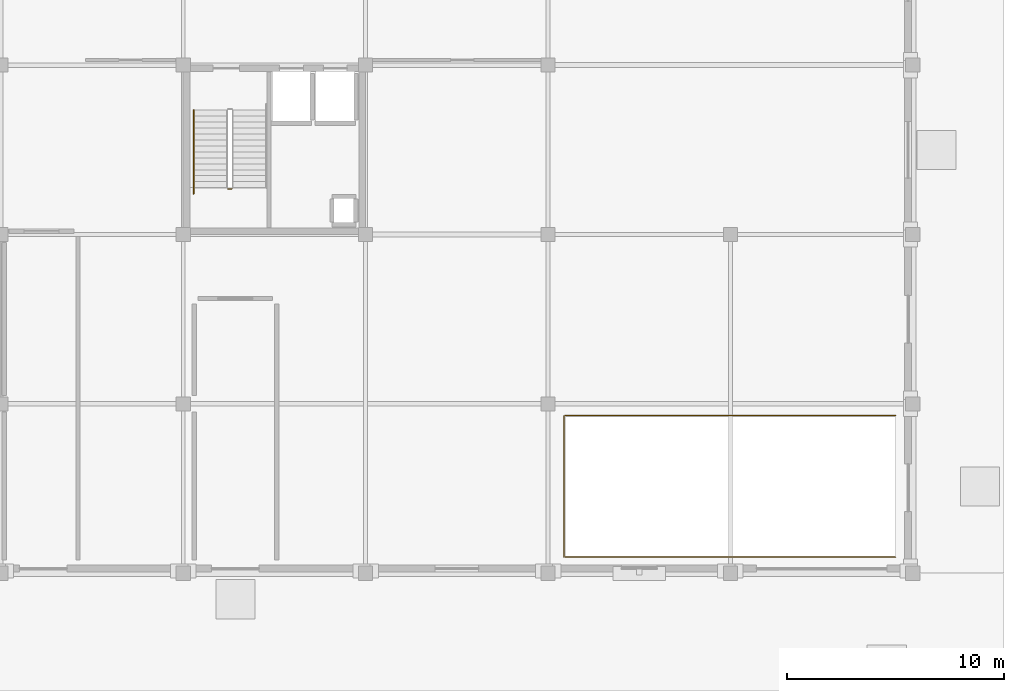
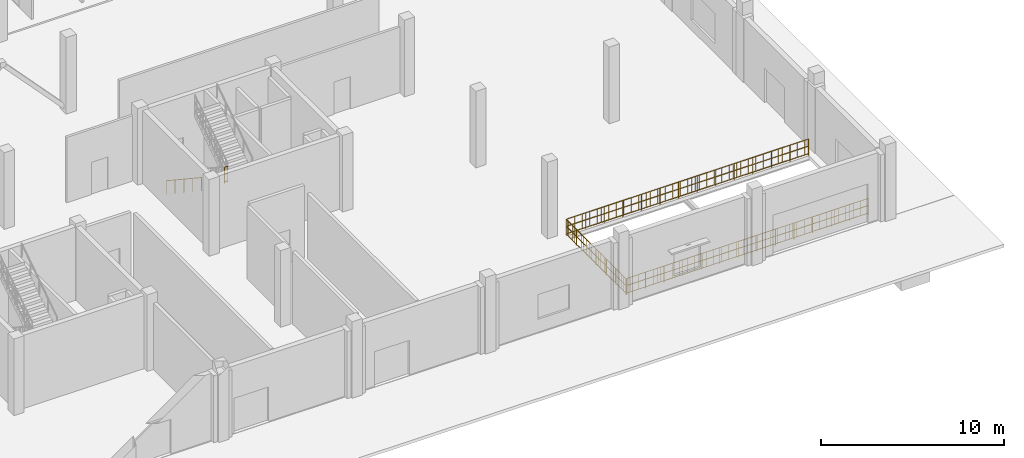
# One storey, part 76 of 80: 5 railings.
"""IFC4 building model written with IfcOpenShell, lengths in metres."""

from ifc_helpers import new_model, si_unit, direction, frame, origin, origin_2d, place, context, subcontext, project, spatial, circle, extrude, material, layer, layer_set, type_object, element, save


model = new_model("IFC4")

# Units and contexts
model_context = context("Model", 3, precision=1e-05, world=origin(), true_north=direction((0.0, 1.0)))
body_context = subcontext(model_context, "Body", "Model", "MODEL_VIEW")
ifc_project = project(units=[si_unit("LENGTHUNIT", "METRE"), si_unit("AREAUNIT", "SQUARE_METRE"), si_unit("VOLUMEUNIT", "CUBIC_METRE"), si_unit("PLANEANGLEUNIT", "RADIAN"), si_unit("MASSUNIT", "GRAM", prefix="KILO")], contexts=[model_context])

# Site, building, storey
site_placement = place(None, origin())
site = spatial("IfcSite", under=ifc_project, at=site_placement, CompositionType="ELEMENT")
building_placement = place(site_placement, origin())
building = spatial("IfcBuilding", under=site, at=building_placement, Name="Nabrawat Pavilion Hospital", CompositionType="ELEMENT")
storey_placement = place(building_placement, origin())
storey = spatial("IfcBuildingStorey", under=building, at=storey_placement, Name="L00", CompositionType="ELEMENT", Elevation=0.0)

# Railings
ifc_material = material(Name="Stainless Steel 316", Category="steel")
ifc_layer_1 = layer(ifc_material, 0.070068359375, Name="Stainless Steel 316")
ifc_layer_set_1 = layer_set([ifc_layer_1], Name="Stainless Steel 316")
railing_type_1 = type_object("IfcRailingType", Name="Exterior Clinical Terrace Safety Guardrail 1100", PredefinedType="GUARDRAIL", material=ifc_layer_set_1)
railing_1_placement = place(storey_placement, frame((177.199951171875, 7.260009765625, 0.0)))
element("IfcRailing", 1, at=railing_1_placement, inside=storey, type_object=railing_type_1, Name="L00 Vehicle Ramp Opening Safety Guardrail North", PredefinedType="GUARDRAIL", context=body_context, shape_type="SweptSolid", body=[
    extrude(circle(Radius=0.02392578125, at=origin_2d()), frame((0.0, 0.0, 1.076171875), z_axis=(1.0, 0.0, 0.0), x_axis=(0.0, 1.0, 0.0)), (0.0, 0.0, 1.0), 15.199951171875),
    extrude(circle(Radius=0.02392578125, at=origin_2d()), frame((0.0, 0.0, 0.10009765625), z_axis=(1.0, 0.0, 0.0), x_axis=(0.0, 1.0, 0.0)), (0.0, 0.0, 1.0), 15.199951171875),
    extrude(circle(Radius=0.02392578125, at=origin_2d()), frame((0.0, 0.0, 0.60498046875), z_axis=(1.0, 0.0, 0.0), x_axis=(0.0, 1.0, 0.0)), (0.0, 0.0, 1.0), 15.199951171875),
    extrude(circle(Radius=0.008056640625, at=origin_2d()), frame((0.237548828125, 0.0, 0.10009765625)), (0.0, 0.0, 1.0), 0.951904296875),
    extrude(circle(Radius=0.008056640625, at=origin_2d()), frame((0.47509765625, 0.0, 0.10009765625)), (0.0, 0.0, 1.0), 0.951904296875),
    extrude(circle(Radius=0.008056640625, at=origin_2d()), frame((0.71240234375, 0.0, 0.10009765625)), (0.0, 0.0, 1.0), 0.951904296875),
    extrude(circle(Radius=0.008056640625, at=origin_2d()), frame((0.949951171875, 0.0, 0.10009765625)), (0.0, 0.0, 1.0), 0.951904296875),
    extrude(circle(Radius=0.008056640625, at=origin_2d()), frame((1.425048828125, 0.0, 0.10009765625)), (0.0, 0.0, 1.0), 0.951904296875),
    extrude(circle(Radius=0.008056640625, at=origin_2d()), frame((1.66259765625, 0.0, 0.10009765625)), (0.0, 0.0, 1.0), 0.951904296875),
    extrude(circle(Radius=0.008056640625, at=origin_2d()), frame((1.89990234375, 0.0, 0.10009765625)), (0.0, 0.0, 1.0), 0.951904296875),
    extrude(circle(Radius=0.008056640625, at=origin_2d()), frame((2.137451171875, 0.0, 0.10009765625)), (0.0, 0.0, 1.0), 0.951904296875),
    extrude(circle(Radius=0.008056640625, at=origin_2d()), frame((2.612548828125, 0.0, 0.10009765625)), (0.0, 0.0, 1.0), 0.951904296875),
    extrude(circle(Radius=0.008056640625, at=origin_2d()), frame((2.85009765625, 0.0, 0.10009765625)), (0.0, 0.0, 1.0), 0.951904296875),
    extrude(circle(Radius=0.008056640625, at=origin_2d()), frame((3.08740234375, 0.0, 0.10009765625)), (0.0, 0.0, 1.0), 0.951904296875),
    extrude(circle(Radius=0.008056640625, at=origin_2d()), frame((3.324951171875, 0.0, 0.10009765625)), (0.0, 0.0, 1.0), 0.951904296875),
    extrude(circle(Radius=0.008056640625, at=origin_2d()), frame((3.5625, 0.0, 0.10009765625)), (0.0, 0.0, 1.0), 0.951904296875),
    extrude(circle(Radius=0.008056640625, at=origin_2d()), frame((3.800048828125, 0.0, 0.10009765625)), (0.0, 0.0, 1.0), 0.951904296875),
    extrude(circle(Radius=0.008056640625, at=origin_2d()), frame((4.03759765625, 0.0, 0.10009765625)), (0.0, 0.0, 1.0), 0.951904296875),
    extrude(circle(Radius=0.008056640625, at=origin_2d()), frame((4.27490234375, 0.0, 0.10009765625)), (0.0, 0.0, 1.0), 0.951904296875),
    extrude(circle(Radius=0.008056640625, at=origin_2d()), frame((4.512451171875, 0.0, 0.10009765625)), (0.0, 0.0, 1.0), 0.951904296875),
    extrude(circle(Radius=0.008056640625, at=origin_2d()), frame((4.75, 0.0, 0.10009765625)), (0.0, 0.0, 1.0), 0.951904296875),
    extrude(circle(Radius=0.008056640625, at=origin_2d()), frame((4.987548828125, 0.0, 0.10009765625)), (0.0, 0.0, 1.0), 0.951904296875),
    extrude(circle(Radius=0.008056640625, at=origin_2d()), frame((5.22509765625, 0.0, 0.10009765625)), (0.0, 0.0, 1.0), 0.951904296875),
    extrude(circle(Radius=0.008056640625, at=origin_2d()), frame((5.46240234375, 0.0, 0.10009765625)), (0.0, 0.0, 1.0), 0.951904296875),
    extrude(circle(Radius=0.008056640625, at=origin_2d()), frame((5.699951171875, 0.0, 0.10009765625)), (0.0, 0.0, 1.0), 0.951904296875),
    extrude(circle(Radius=0.008056640625, at=origin_2d()), frame((5.9375, 0.0, 0.10009765625)), (0.0, 0.0, 1.0), 0.951904296875),
    extrude(circle(Radius=0.008056640625, at=origin_2d()), frame((6.175048828125, 0.0, 0.10009765625)), (0.0, 0.0, 1.0), 0.951904296875),
    extrude(circle(Radius=0.008056640625, at=origin_2d()), frame((6.41259765625, 0.0, 0.10009765625)), (0.0, 0.0, 1.0), 0.951904296875),
    extrude(circle(Radius=0.008056640625, at=origin_2d()), frame((6.64990234375, 0.0, 0.10009765625)), (0.0, 0.0, 1.0), 0.951904296875),
    extrude(circle(Radius=0.008056640625, at=origin_2d()), frame((6.887451171875, 0.0, 0.10009765625)), (0.0, 0.0, 1.0), 0.951904296875),
    extrude(circle(Radius=0.008056640625, at=origin_2d()), frame((7.125, 0.0, 0.10009765625)), (0.0, 0.0, 1.0), 0.951904296875),
    extrude(circle(Radius=0.008056640625, at=origin_2d()), frame((7.362548828125, 0.0, 0.10009765625)), (0.0, 0.0, 1.0), 0.951904296875),
    extrude(circle(Radius=0.008056640625, at=origin_2d()), frame((7.60009765625, 0.0, 0.10009765625)), (0.0, 0.0, 1.0), 0.951904296875),
    extrude(circle(Radius=0.008056640625, at=origin_2d()), frame((7.83740234375, 0.0, 0.10009765625)), (0.0, 0.0, 1.0), 0.951904296875),
    extrude(circle(Radius=0.008056640625, at=origin_2d()), frame((8.074951171875, 0.0, 0.10009765625)), (0.0, 0.0, 1.0), 0.951904296875),
    extrude(circle(Radius=0.008056640625, at=origin_2d()), frame((8.3125, 0.0, 0.10009765625)), (0.0, 0.0, 1.0), 0.951904296875),
    extrude(circle(Radius=0.008056640625, at=origin_2d()), frame((8.550048828125, 0.0, 0.10009765625)), (0.0, 0.0, 1.0), 0.951904296875),
    extrude(circle(Radius=0.008056640625, at=origin_2d()), frame((8.787353515625, 0.0, 0.10009765625)), (0.0, 0.0, 1.0), 0.951904296875),
    extrude(circle(Radius=0.008056640625, at=origin_2d()), frame((9.02490234375, 0.0, 0.10009765625)), (0.0, 0.0, 1.0), 0.951904296875),
    extrude(circle(Radius=0.008056640625, at=origin_2d()), frame((9.262451171875, 0.0, 0.10009765625)), (0.0, 0.0, 1.0), 0.951904296875),
    extrude(circle(Radius=0.008056640625, at=origin_2d()), frame((9.5, 0.0, 0.10009765625)), (0.0, 0.0, 1.0), 0.951904296875),
    extrude(circle(Radius=0.008056640625, at=origin_2d()), frame((9.737548828125, 0.0, 0.10009765625)), (0.0, 0.0, 1.0), 0.951904296875),
    extrude(circle(Radius=0.008056640625, at=origin_2d()), frame((9.974853515625, 0.0, 0.10009765625)), (0.0, 0.0, 1.0), 0.951904296875),
    extrude(circle(Radius=0.008056640625, at=origin_2d()), frame((10.21240234375, 0.0, 0.10009765625)), (0.0, 0.0, 1.0), 0.951904296875),
    extrude(circle(Radius=0.008056640625, at=origin_2d()), frame((10.449951171875, 0.0, 0.10009765625)), (0.0, 0.0, 1.0), 0.951904296875),
    extrude(circle(Radius=0.008056640625, at=origin_2d()), frame((10.6875, 0.0, 0.10009765625)), (0.0, 0.0, 1.0), 0.951904296875),
    extrude(circle(Radius=0.008056640625, at=origin_2d()), frame((10.925048828125, 0.0, 0.10009765625)), (0.0, 0.0, 1.0), 0.951904296875),
    extrude(circle(Radius=0.008056640625, at=origin_2d()), frame((11.162353515625, 0.0, 0.10009765625)), (0.0, 0.0, 1.0), 0.951904296875),
    extrude(circle(Radius=0.008056640625, at=origin_2d()), frame((11.39990234375, 0.0, 0.10009765625)), (0.0, 0.0, 1.0), 0.951904296875),
    extrude(circle(Radius=0.008056640625, at=origin_2d()), frame((11.637451171875, 0.0, 0.10009765625)), (0.0, 0.0, 1.0), 0.951904296875),
    extrude(circle(Radius=0.008056640625, at=origin_2d()), frame((11.875, 0.0, 0.10009765625)), (0.0, 0.0, 1.0), 0.951904296875),
    extrude(circle(Radius=0.008056640625, at=origin_2d()), frame((12.112548828125, 0.0, 0.10009765625)), (0.0, 0.0, 1.0), 0.951904296875),
    extrude(circle(Radius=0.008056640625, at=origin_2d()), frame((12.349853515625, 0.0, 0.10009765625)), (0.0, 0.0, 1.0), 0.951904296875),
    extrude(circle(Radius=0.008056640625, at=origin_2d()), frame((12.58740234375, 0.0, 0.10009765625)), (0.0, 0.0, 1.0), 0.951904296875),
    extrude(circle(Radius=0.008056640625, at=origin_2d()), frame((13.0625, 0.0, 0.10009765625)), (0.0, 0.0, 1.0), 0.951904296875),
    extrude(circle(Radius=0.008056640625, at=origin_2d()), frame((13.300048828125, 0.0, 0.10009765625)), (0.0, 0.0, 1.0), 0.951904296875),
    extrude(circle(Radius=0.008056640625, at=origin_2d()), frame((13.537353515625, 0.0, 0.10009765625)), (0.0, 0.0, 1.0), 0.951904296875),
    extrude(circle(Radius=0.008056640625, at=origin_2d()), frame((13.77490234375, 0.0, 0.10009765625)), (0.0, 0.0, 1.0), 0.951904296875),
    extrude(circle(Radius=0.008056640625, at=origin_2d()), frame((14.25, 0.0, 0.10009765625)), (0.0, 0.0, 1.0), 0.951904296875),
    extrude(circle(Radius=0.008056640625, at=origin_2d()), frame((14.487548828125, 0.0, 0.10009765625)), (0.0, 0.0, 1.0), 0.951904296875),
    extrude(circle(Radius=0.008056640625, at=origin_2d()), frame((14.724853515625, 0.0, 0.10009765625)), (0.0, 0.0, 1.0), 0.951904296875),
    extrude(circle(Radius=0.008056640625, at=origin_2d()), frame((14.96240234375, 0.0, 0.10009765625)), (0.0, 0.0, 1.0), 0.951904296875),
    extrude(circle(Radius=0.02099609375, at=origin_2d()), origin(), (0.0, 0.0, 1.0), 1.052001953125),
    extrude(circle(Radius=0.02099609375, at=origin_2d()), frame((1.169189453125, 0.0, 0.0)), (0.0, 0.0, 1.0), 1.052001953125),
    extrude(circle(Radius=0.02099609375, at=origin_2d()), frame((2.33837890625, 0.0, 0.0)), (0.0, 0.0, 1.0), 1.052001953125),
    extrude(circle(Radius=0.02099609375, at=origin_2d()), frame((3.507568359375, 0.0, 0.0)), (0.0, 0.0, 1.0), 1.052001953125),
    extrude(circle(Radius=0.02099609375, at=origin_2d()), frame((4.677001953125, 0.0, 0.0)), (0.0, 0.0, 1.0), 1.052001953125),
    extrude(circle(Radius=0.02099609375, at=origin_2d()), frame((5.84619140625, 0.0, 0.0)), (0.0, 0.0, 1.0), 1.052001953125),
    extrude(circle(Radius=0.02099609375, at=origin_2d()), frame((7.015380859375, 0.0, 0.0)), (0.0, 0.0, 1.0), 1.052001953125),
    extrude(circle(Radius=0.02099609375, at=origin_2d()), frame((8.1845703125, 0.0, 0.0)), (0.0, 0.0, 1.0), 1.052001953125),
    extrude(circle(Radius=0.02099609375, at=origin_2d()), frame((9.353759765625, 0.0, 0.0)), (0.0, 0.0, 1.0), 1.052001953125),
    extrude(circle(Radius=0.02099609375, at=origin_2d()), frame((10.52294921875, 0.0, 0.0)), (0.0, 0.0, 1.0), 1.052001953125),
    extrude(circle(Radius=0.02099609375, at=origin_2d()), frame((11.6923828125, 0.0, 0.0)), (0.0, 0.0, 1.0), 1.052001953125),
    extrude(circle(Radius=0.02099609375, at=origin_2d()), frame((12.861572265625, 0.0, 0.0)), (0.0, 0.0, 1.0), 1.052001953125),
    extrude(circle(Radius=0.02099609375, at=origin_2d()), frame((14.03076171875, 0.0, 0.0)), (0.0, 0.0, 1.0), 1.052001953125),
    extrude(circle(Radius=0.02099609375, at=origin_2d()), frame((15.199951171875, 0.0, 0.0)), (0.0, 0.0, 1.0), 1.052001953125),
])
railing_2_placement = place(storey_placement, frame((177.199951171875, 0.739990234375, 0.0)))
element("IfcRailing", 2, at=railing_2_placement, inside=storey, type_object=railing_type_1, Name="L00 Vehicle Ramp Opening Safety Guardrail South", PredefinedType="GUARDRAIL", context=body_context, shape_type="SweptSolid", body=[
    extrude(circle(Radius=0.02392578125, at=origin_2d()), frame((0.0, 0.0, 1.076171875), z_axis=(1.0, 0.0, 0.0), x_axis=(0.0, 1.0, 0.0)), (0.0, 0.0, 1.0), 15.199951171875),
    extrude(circle(Radius=0.02392578125, at=origin_2d()), frame((0.0, 0.0, 0.10009765625), z_axis=(1.0, 0.0, 0.0), x_axis=(0.0, 1.0, 0.0)), (0.0, 0.0, 1.0), 15.199951171875),
    extrude(circle(Radius=0.02392578125, at=origin_2d()), frame((0.0, 0.0, 0.60498046875), z_axis=(1.0, 0.0, 0.0), x_axis=(0.0, 1.0, 0.0)), (0.0, 0.0, 1.0), 15.199951171875),
    extrude(circle(Radius=0.008056640625, at=origin_2d()), frame((0.237548828125, 0.0, 0.10009765625)), (0.0, 0.0, 1.0), 0.951904296875),
    extrude(circle(Radius=0.008056640625, at=origin_2d()), frame((0.47509765625, 0.0, 0.10009765625)), (0.0, 0.0, 1.0), 0.951904296875),
    extrude(circle(Radius=0.008056640625, at=origin_2d()), frame((0.71240234375, 0.0, 0.10009765625)), (0.0, 0.0, 1.0), 0.951904296875),
    extrude(circle(Radius=0.008056640625, at=origin_2d()), frame((0.949951171875, 0.0, 0.10009765625)), (0.0, 0.0, 1.0), 0.951904296875),
    extrude(circle(Radius=0.008056640625, at=origin_2d()), frame((1.425048828125, 0.0, 0.10009765625)), (0.0, 0.0, 1.0), 0.951904296875),
    extrude(circle(Radius=0.008056640625, at=origin_2d()), frame((1.66259765625, 0.0, 0.10009765625)), (0.0, 0.0, 1.0), 0.951904296875),
    extrude(circle(Radius=0.008056640625, at=origin_2d()), frame((1.89990234375, 0.0, 0.10009765625)), (0.0, 0.0, 1.0), 0.951904296875),
    extrude(circle(Radius=0.008056640625, at=origin_2d()), frame((2.137451171875, 0.0, 0.10009765625)), (0.0, 0.0, 1.0), 0.951904296875),
    extrude(circle(Radius=0.008056640625, at=origin_2d()), frame((2.612548828125, 0.0, 0.10009765625)), (0.0, 0.0, 1.0), 0.951904296875),
    extrude(circle(Radius=0.008056640625, at=origin_2d()), frame((2.85009765625, 0.0, 0.10009765625)), (0.0, 0.0, 1.0), 0.951904296875),
    extrude(circle(Radius=0.008056640625, at=origin_2d()), frame((3.08740234375, 0.0, 0.10009765625)), (0.0, 0.0, 1.0), 0.951904296875),
    extrude(circle(Radius=0.008056640625, at=origin_2d()), frame((3.324951171875, 0.0, 0.10009765625)), (0.0, 0.0, 1.0), 0.951904296875),
    extrude(circle(Radius=0.008056640625, at=origin_2d()), frame((3.5625, 0.0, 0.10009765625)), (0.0, 0.0, 1.0), 0.951904296875),
    extrude(circle(Radius=0.008056640625, at=origin_2d()), frame((3.800048828125, 0.0, 0.10009765625)), (0.0, 0.0, 1.0), 0.951904296875),
    extrude(circle(Radius=0.008056640625, at=origin_2d()), frame((4.03759765625, 0.0, 0.10009765625)), (0.0, 0.0, 1.0), 0.951904296875),
    extrude(circle(Radius=0.008056640625, at=origin_2d()), frame((4.27490234375, 0.0, 0.10009765625)), (0.0, 0.0, 1.0), 0.951904296875),
    extrude(circle(Radius=0.008056640625, at=origin_2d()), frame((4.512451171875, 0.0, 0.10009765625)), (0.0, 0.0, 1.0), 0.951904296875),
    extrude(circle(Radius=0.008056640625, at=origin_2d()), frame((4.75, 0.0, 0.10009765625)), (0.0, 0.0, 1.0), 0.951904296875),
    extrude(circle(Radius=0.008056640625, at=origin_2d()), frame((4.987548828125, 0.0, 0.10009765625)), (0.0, 0.0, 1.0), 0.951904296875),
    extrude(circle(Radius=0.008056640625, at=origin_2d()), frame((5.22509765625, 0.0, 0.10009765625)), (0.0, 0.0, 1.0), 0.951904296875),
    extrude(circle(Radius=0.008056640625, at=origin_2d()), frame((5.46240234375, 0.0, 0.10009765625)), (0.0, 0.0, 1.0), 0.951904296875),
    extrude(circle(Radius=0.008056640625, at=origin_2d()), frame((5.699951171875, 0.0, 0.10009765625)), (0.0, 0.0, 1.0), 0.951904296875),
    extrude(circle(Radius=0.008056640625, at=origin_2d()), frame((5.9375, 0.0, 0.10009765625)), (0.0, 0.0, 1.0), 0.951904296875),
    extrude(circle(Radius=0.008056640625, at=origin_2d()), frame((6.175048828125, 0.0, 0.10009765625)), (0.0, 0.0, 1.0), 0.951904296875),
    extrude(circle(Radius=0.008056640625, at=origin_2d()), frame((6.41259765625, 0.0, 0.10009765625)), (0.0, 0.0, 1.0), 0.951904296875),
    extrude(circle(Radius=0.008056640625, at=origin_2d()), frame((6.64990234375, 0.0, 0.10009765625)), (0.0, 0.0, 1.0), 0.951904296875),
    extrude(circle(Radius=0.008056640625, at=origin_2d()), frame((6.887451171875, 0.0, 0.10009765625)), (0.0, 0.0, 1.0), 0.951904296875),
    extrude(circle(Radius=0.008056640625, at=origin_2d()), frame((7.125, 0.0, 0.10009765625)), (0.0, 0.0, 1.0), 0.951904296875),
    extrude(circle(Radius=0.008056640625, at=origin_2d()), frame((7.362548828125, 0.0, 0.10009765625)), (0.0, 0.0, 1.0), 0.951904296875),
    extrude(circle(Radius=0.008056640625, at=origin_2d()), frame((7.60009765625, 0.0, 0.10009765625)), (0.0, 0.0, 1.0), 0.951904296875),
    extrude(circle(Radius=0.008056640625, at=origin_2d()), frame((7.83740234375, 0.0, 0.10009765625)), (0.0, 0.0, 1.0), 0.951904296875),
    extrude(circle(Radius=0.008056640625, at=origin_2d()), frame((8.074951171875, 0.0, 0.10009765625)), (0.0, 0.0, 1.0), 0.951904296875),
    extrude(circle(Radius=0.008056640625, at=origin_2d()), frame((8.3125, 0.0, 0.10009765625)), (0.0, 0.0, 1.0), 0.951904296875),
    extrude(circle(Radius=0.008056640625, at=origin_2d()), frame((8.550048828125, 0.0, 0.10009765625)), (0.0, 0.0, 1.0), 0.951904296875),
    extrude(circle(Radius=0.008056640625, at=origin_2d()), frame((8.787353515625, 0.0, 0.10009765625)), (0.0, 0.0, 1.0), 0.951904296875),
    extrude(circle(Radius=0.008056640625, at=origin_2d()), frame((9.02490234375, 0.0, 0.10009765625)), (0.0, 0.0, 1.0), 0.951904296875),
    extrude(circle(Radius=0.008056640625, at=origin_2d()), frame((9.262451171875, 0.0, 0.10009765625)), (0.0, 0.0, 1.0), 0.951904296875),
    extrude(circle(Radius=0.008056640625, at=origin_2d()), frame((9.5, 0.0, 0.10009765625)), (0.0, 0.0, 1.0), 0.951904296875),
    extrude(circle(Radius=0.008056640625, at=origin_2d()), frame((9.737548828125, 0.0, 0.10009765625)), (0.0, 0.0, 1.0), 0.951904296875),
    extrude(circle(Radius=0.008056640625, at=origin_2d()), frame((9.974853515625, 0.0, 0.10009765625)), (0.0, 0.0, 1.0), 0.951904296875),
    extrude(circle(Radius=0.008056640625, at=origin_2d()), frame((10.21240234375, 0.0, 0.10009765625)), (0.0, 0.0, 1.0), 0.951904296875),
    extrude(circle(Radius=0.008056640625, at=origin_2d()), frame((10.449951171875, 0.0, 0.10009765625)), (0.0, 0.0, 1.0), 0.951904296875),
    extrude(circle(Radius=0.008056640625, at=origin_2d()), frame((10.6875, 0.0, 0.10009765625)), (0.0, 0.0, 1.0), 0.951904296875),
    extrude(circle(Radius=0.008056640625, at=origin_2d()), frame((10.925048828125, 0.0, 0.10009765625)), (0.0, 0.0, 1.0), 0.951904296875),
    extrude(circle(Radius=0.008056640625, at=origin_2d()), frame((11.162353515625, 0.0, 0.10009765625)), (0.0, 0.0, 1.0), 0.951904296875),
    extrude(circle(Radius=0.008056640625, at=origin_2d()), frame((11.39990234375, 0.0, 0.10009765625)), (0.0, 0.0, 1.0), 0.951904296875),
    extrude(circle(Radius=0.008056640625, at=origin_2d()), frame((11.637451171875, 0.0, 0.10009765625)), (0.0, 0.0, 1.0), 0.951904296875),
    extrude(circle(Radius=0.008056640625, at=origin_2d()), frame((11.875, 0.0, 0.10009765625)), (0.0, 0.0, 1.0), 0.951904296875),
    extrude(circle(Radius=0.008056640625, at=origin_2d()), frame((12.112548828125, 0.0, 0.10009765625)), (0.0, 0.0, 1.0), 0.951904296875),
    extrude(circle(Radius=0.008056640625, at=origin_2d()), frame((12.349853515625, 0.0, 0.10009765625)), (0.0, 0.0, 1.0), 0.951904296875),
    extrude(circle(Radius=0.008056640625, at=origin_2d()), frame((12.58740234375, 0.0, 0.10009765625)), (0.0, 0.0, 1.0), 0.951904296875),
    extrude(circle(Radius=0.008056640625, at=origin_2d()), frame((13.0625, 0.0, 0.10009765625)), (0.0, 0.0, 1.0), 0.951904296875),
    extrude(circle(Radius=0.008056640625, at=origin_2d()), frame((13.300048828125, 0.0, 0.10009765625)), (0.0, 0.0, 1.0), 0.951904296875),
    extrude(circle(Radius=0.008056640625, at=origin_2d()), frame((13.537353515625, 0.0, 0.10009765625)), (0.0, 0.0, 1.0), 0.951904296875),
    extrude(circle(Radius=0.008056640625, at=origin_2d()), frame((13.77490234375, 0.0, 0.10009765625)), (0.0, 0.0, 1.0), 0.951904296875),
    extrude(circle(Radius=0.008056640625, at=origin_2d()), frame((14.25, 0.0, 0.10009765625)), (0.0, 0.0, 1.0), 0.951904296875),
    extrude(circle(Radius=0.008056640625, at=origin_2d()), frame((14.487548828125, 0.0, 0.10009765625)), (0.0, 0.0, 1.0), 0.951904296875),
    extrude(circle(Radius=0.008056640625, at=origin_2d()), frame((14.724853515625, 0.0, 0.10009765625)), (0.0, 0.0, 1.0), 0.951904296875),
    extrude(circle(Radius=0.008056640625, at=origin_2d()), frame((14.96240234375, 0.0, 0.10009765625)), (0.0, 0.0, 1.0), 0.951904296875),
    extrude(circle(Radius=0.02099609375, at=origin_2d()), origin(), (0.0, 0.0, 1.0), 1.052001953125),
    extrude(circle(Radius=0.02099609375, at=origin_2d()), frame((1.169189453125, 0.0, 0.0)), (0.0, 0.0, 1.0), 1.052001953125),
    extrude(circle(Radius=0.02099609375, at=origin_2d()), frame((2.33837890625, 0.0, 0.0)), (0.0, 0.0, 1.0), 1.052001953125),
    extrude(circle(Radius=0.02099609375, at=origin_2d()), frame((3.507568359375, 0.0, 0.0)), (0.0, 0.0, 1.0), 1.052001953125),
    extrude(circle(Radius=0.02099609375, at=origin_2d()), frame((4.677001953125, 0.0, 0.0)), (0.0, 0.0, 1.0), 1.052001953125),
    extrude(circle(Radius=0.02099609375, at=origin_2d()), frame((5.84619140625, 0.0, 0.0)), (0.0, 0.0, 1.0), 1.052001953125),
    extrude(circle(Radius=0.02099609375, at=origin_2d()), frame((7.015380859375, 0.0, 0.0)), (0.0, 0.0, 1.0), 1.052001953125),
    extrude(circle(Radius=0.02099609375, at=origin_2d()), frame((8.1845703125, 0.0, 0.0)), (0.0, 0.0, 1.0), 1.052001953125),
    extrude(circle(Radius=0.02099609375, at=origin_2d()), frame((9.353759765625, 0.0, 0.0)), (0.0, 0.0, 1.0), 1.052001953125),
    extrude(circle(Radius=0.02099609375, at=origin_2d()), frame((10.52294921875, 0.0, 0.0)), (0.0, 0.0, 1.0), 1.052001953125),
    extrude(circle(Radius=0.02099609375, at=origin_2d()), frame((11.6923828125, 0.0, 0.0)), (0.0, 0.0, 1.0), 1.052001953125),
    extrude(circle(Radius=0.02099609375, at=origin_2d()), frame((12.861572265625, 0.0, 0.0)), (0.0, 0.0, 1.0), 1.052001953125),
    extrude(circle(Radius=0.02099609375, at=origin_2d()), frame((14.03076171875, 0.0, 0.0)), (0.0, 0.0, 1.0), 1.052001953125),
    extrude(circle(Radius=0.02099609375, at=origin_2d()), frame((15.199951171875, 0.0, 0.0)), (0.0, 0.0, 1.0), 1.052001953125),
])
railing_3_placement = place(storey_placement, frame((177.139892578125, 0.739990234375, 0.0)))
element("IfcRailing", 3, at=railing_3_placement, inside=storey, type_object=railing_type_1, Name="L00 Vehicle Ramp Opening Safety Guardrail West", PredefinedType="GUARDRAIL", context=body_context, shape_type="SweptSolid", body=[
    extrude(circle(Radius=0.02392578125, at=origin_2d()), frame((0.0, 0.0, 1.076171875), z_axis=(0.0, 1.0, 0.0), x_axis=(-1.0, 0.0, 0.0)), (0.0, 0.0, 1.0), 6.52001953125),
    extrude(circle(Radius=0.02392578125, at=origin_2d()), frame((0.0, 0.0, 0.10009765625), z_axis=(0.0, 1.0, 0.0), x_axis=(-1.0, 0.0, 0.0)), (0.0, 0.0, 1.0), 6.52001953125),
    extrude(circle(Radius=0.02392578125, at=origin_2d()), frame((0.0, 0.0, 0.60498046875), z_axis=(0.0, 1.0, 0.0), x_axis=(-1.0, 0.0, 0.0)), (0.0, 0.0, 1.0), 6.52001953125),
    extrude(circle(Radius=0.008056640625, at=origin_2d()), frame((0.0, 0.23291015625, 0.10009765625)), (0.0, 0.0, 1.0), 0.951904296875),
    extrude(circle(Radius=0.008056640625, at=origin_2d()), frame((0.0, 0.4658203125, 0.10009765625)), (0.0, 0.0, 1.0), 0.951904296875),
    extrude(circle(Radius=0.008056640625, at=origin_2d()), frame((0.0, 0.698486328125, 0.10009765625)), (0.0, 0.0, 1.0), 0.951904296875),
    extrude(circle(Radius=0.008056640625, at=origin_2d()), frame((0.0, 0.931396484375, 0.10009765625)), (0.0, 0.0, 1.0), 0.951904296875),
    extrude(circle(Radius=0.008056640625, at=origin_2d()), frame((0.0, 1.164306640625, 0.10009765625)), (0.0, 0.0, 1.0), 0.951904296875),
    extrude(circle(Radius=0.008056640625, at=origin_2d()), frame((0.0, 1.397216796875, 0.10009765625)), (0.0, 0.0, 1.0), 0.951904296875),
    extrude(circle(Radius=0.008056640625, at=origin_2d()), frame((0.0, 1.6298828125, 0.10009765625)), (0.0, 0.0, 1.0), 0.951904296875),
    extrude(circle(Radius=0.008056640625, at=origin_2d()), frame((0.0, 1.86279296875, 0.10009765625)), (0.0, 0.0, 1.0), 0.951904296875),
    extrude(circle(Radius=0.008056640625, at=origin_2d()), frame((0.0, 2.095703125, 0.10009765625)), (0.0, 0.0, 1.0), 0.951904296875),
    extrude(circle(Radius=0.008056640625, at=origin_2d()), frame((0.0, 2.32861328125, 0.10009765625)), (0.0, 0.0, 1.0), 0.951904296875),
    extrude(circle(Radius=0.008056640625, at=origin_2d()), frame((0.0, 2.5615234375, 0.10009765625)), (0.0, 0.0, 1.0), 0.951904296875),
    extrude(circle(Radius=0.008056640625, at=origin_2d()), frame((0.0, 2.794189453125, 0.10009765625)), (0.0, 0.0, 1.0), 0.951904296875),
    extrude(circle(Radius=0.008056640625, at=origin_2d()), frame((0.0, 3.027099609375, 0.10009765625)), (0.0, 0.0, 1.0), 0.951904296875),
    extrude(circle(Radius=0.008056640625, at=origin_2d()), frame((0.0, 3.492919921875, 0.10009765625)), (0.0, 0.0, 1.0), 0.951904296875),
    extrude(circle(Radius=0.008056640625, at=origin_2d()), frame((0.0, 3.725830078125, 0.10009765625)), (0.0, 0.0, 1.0), 0.951904296875),
    extrude(circle(Radius=0.008056640625, at=origin_2d()), frame((0.0, 3.95849609375, 0.10009765625)), (0.0, 0.0, 1.0), 0.951904296875),
    extrude(circle(Radius=0.008056640625, at=origin_2d()), frame((0.0, 4.19140625, 0.10009765625)), (0.0, 0.0, 1.0), 0.951904296875),
    extrude(circle(Radius=0.008056640625, at=origin_2d()), frame((0.0, 4.42431640625, 0.10009765625)), (0.0, 0.0, 1.0), 0.951904296875),
    extrude(circle(Radius=0.008056640625, at=origin_2d()), frame((0.0, 4.6572265625, 0.10009765625)), (0.0, 0.0, 1.0), 0.951904296875),
    extrude(circle(Radius=0.008056640625, at=origin_2d()), frame((0.0, 4.89013671875, 0.10009765625)), (0.0, 0.0, 1.0), 0.951904296875),
    extrude(circle(Radius=0.008056640625, at=origin_2d()), frame((0.0, 5.122802734375, 0.10009765625)), (0.0, 0.0, 1.0), 0.951904296875),
    extrude(circle(Radius=0.008056640625, at=origin_2d()), frame((0.0, 5.355712890625, 0.10009765625)), (0.0, 0.0, 1.0), 0.951904296875),
    extrude(circle(Radius=0.008056640625, at=origin_2d()), frame((0.0, 5.588623046875, 0.10009765625)), (0.0, 0.0, 1.0), 0.951904296875),
    extrude(circle(Radius=0.008056640625, at=origin_2d()), frame((0.0, 5.821533203125, 0.10009765625)), (0.0, 0.0, 1.0), 0.951904296875),
    extrude(circle(Radius=0.008056640625, at=origin_2d()), frame((0.0, 6.05419921875, 0.10009765625)), (0.0, 0.0, 1.0), 0.951904296875),
    extrude(circle(Radius=0.008056640625, at=origin_2d()), frame((0.0, 6.287109375, 0.10009765625)), (0.0, 0.0, 1.0), 0.951904296875),
    extrude(circle(Radius=0.02099609375, at=origin_2d()), origin(), (0.0, 0.0, 1.0), 1.052001953125),
    extrude(circle(Radius=0.02099609375, at=origin_2d()), frame((0.0, 1.086669921875, 0.0)), (0.0, 0.0, 1.0), 1.052001953125),
    extrude(circle(Radius=0.02099609375, at=origin_2d()), frame((0.0, 2.17333984375, 0.0)), (0.0, 0.0, 1.0), 1.052001953125),
    extrude(circle(Radius=0.02099609375, at=origin_2d()), frame((0.0, 3.260009765625, 0.0)), (0.0, 0.0, 1.0), 1.052001953125),
    extrude(circle(Radius=0.02099609375, at=origin_2d()), frame((0.0, 4.3466796875, 0.0)), (0.0, 0.0, 1.0), 1.052001953125),
    extrude(circle(Radius=0.02099609375, at=origin_2d()), frame((0.0, 5.433349609375, 0.0)), (0.0, 0.0, 1.0), 1.052001953125),
    extrude(circle(Radius=0.02099609375, at=origin_2d()), frame((0.0, 6.52001953125, 0.0)), (0.0, 0.0, 1.0), 1.052001953125),
])
ifc_layer_2 = layer(ifc_material, 0.050048828125, Name="Stainless Steel 316")
ifc_layer_set_2 = layer_set([ifc_layer_2], Name="Stainless Steel 316")
railing_type_2 = type_object("IfcRailingType", Name="Stair Open-Well Safety Guardrail 1100", PredefinedType="GUARDRAIL", material=ifc_layer_set_2)
railing_4_placement = place(storey_placement, frame((161.64990234375, 17.705078125, 2.550048828125)))
element("IfcRailing", 4, at=railing_4_placement, inside=storey, type_object=railing_type_2, Name="L00 ST-04 stair guard 2", PredefinedType="GUARDRAIL", context=body_context, shape_type="SweptSolid", body=[
    extrude(circle(Radius=0.02392578125, at=origin_2d()), frame((0.0, 0.0, 1.076171875), z_axis=(1.0, 0.0, 0.0), x_axis=(0.0, 1.0, 0.0)), (0.0, 0.0, 1.0), 0.2001953125),
    extrude(circle(Radius=0.02392578125, at=origin_2d()), frame((0.0, 0.0, 0.10009765625), z_axis=(1.0, 0.0, 0.0), x_axis=(0.0, 1.0, 0.0)), (0.0, 0.0, 1.0), 0.2001953125),
    extrude(circle(Radius=0.02392578125, at=origin_2d()), frame((0.0, 0.0, 0.60498046875), z_axis=(1.0, 0.0, 0.0), x_axis=(0.0, 1.0, 0.0)), (0.0, 0.0, 1.0), 0.2001953125),
    extrude(circle(Radius=0.008056640625, at=origin_2d()), frame((0.10009765625, 0.0, 0.10009765625)), (0.0, 0.0, 1.0), 0.951904296875),
    extrude(circle(Radius=0.02099609375, at=origin_2d()), origin(), (0.0, 0.0, 1.0), 1.052001953125),
    extrude(circle(Radius=0.02099609375, at=origin_2d()), frame((0.2001953125, 0.0, 0.0)), (0.0, 0.0, 1.0), 1.052001953125),
])
ifc_layer_3 = layer(ifc_material, 0.044921875, Name="Stainless Steel 316")
ifc_layer_set_3 = layer_set([ifc_layer_3], Name="Stainless Steel 316")
railing_type_3 = type_object("IfcRailingType", Name="Stair Pitch Continuous Handrail 920", PredefinedType="HANDRAIL", material=ifc_layer_set_3)
railing_5_placement = place(storey_placement, frame((160.074951171875, 21.330078125, 0.18603515625)))
element("IfcRailing", 5, at=railing_5_placement, inside=storey, type_object=railing_type_3, Name="L00 ST-04 stair handrail 1", PredefinedType="HANDRAIL", context=body_context, shape_type="SweptSolid", body=[
    extrude(circle(Radius=0.02392578125, at=origin_2d()), frame((0.0, 0.0, 0.89599609375), z_axis=(0.0, -0.833713881912, 0.552196670677), x_axis=(1.0, 0.0, 0.0)), (0.0, 0.0, 1.0), 4.617919921875),
    extrude(circle(Radius=0.02099609375, at=origin_2d()), origin(), (0.0, 0.0, 1.0), 0.871826171875),
    extrude(circle(Radius=0.02099609375, at=origin_2d()), frame((0.0, -0.96240234375, 0.637451171875)), (0.0, 0.0, 1.0), 0.871826171875),
    extrude(circle(Radius=0.02099609375, at=origin_2d()), frame((0.0, -1.925048828125, 1.27490234375)), (0.0, 0.0, 1.0), 0.871826171875),
    extrude(circle(Radius=0.02099609375, at=origin_2d()), frame((0.0, -2.8876953125, 1.91259765625)), (0.0, 0.0, 1.0), 0.871826171875),
    extrude(circle(Radius=0.02099609375, at=origin_2d()), frame((0.0, -3.85009765625, 2.550048828125)), (0.0, 0.0, 1.0), 0.871826171875),
])

save(model, "model.ifc")
